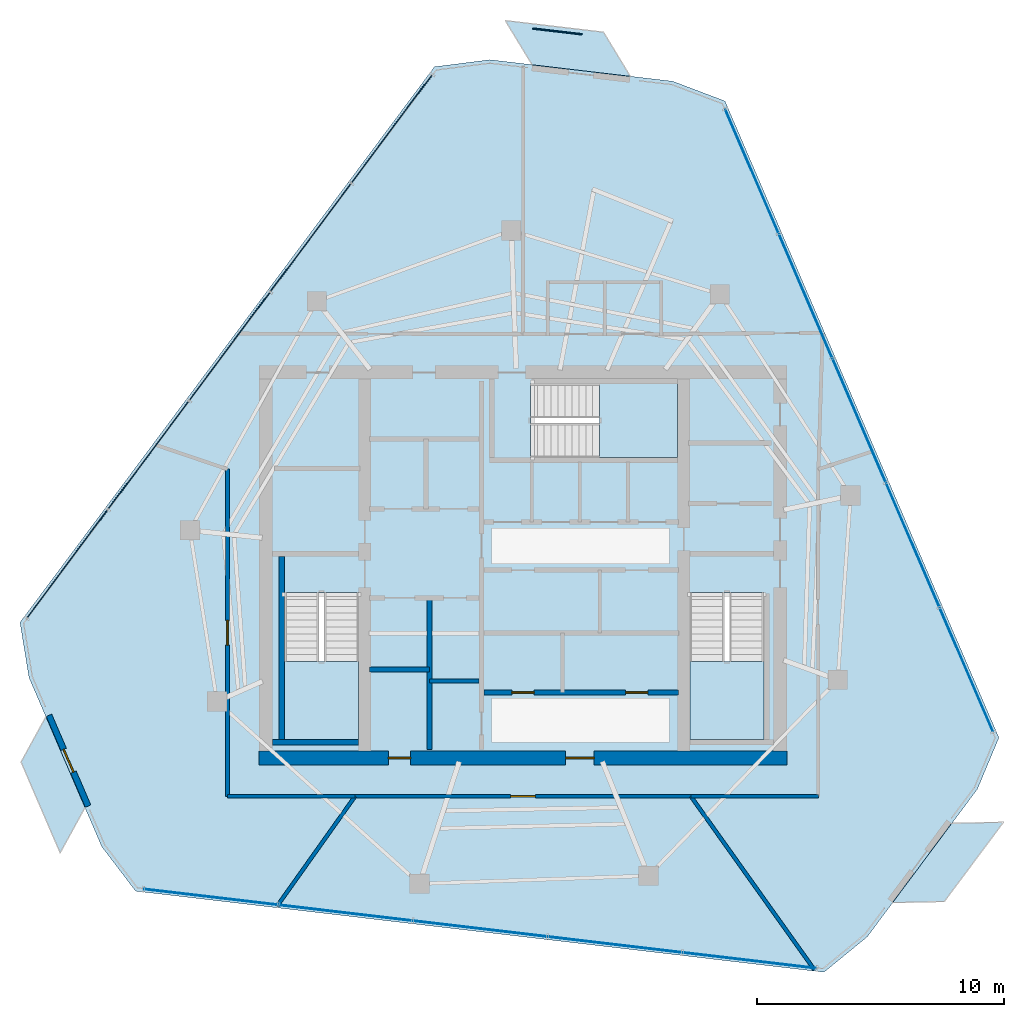
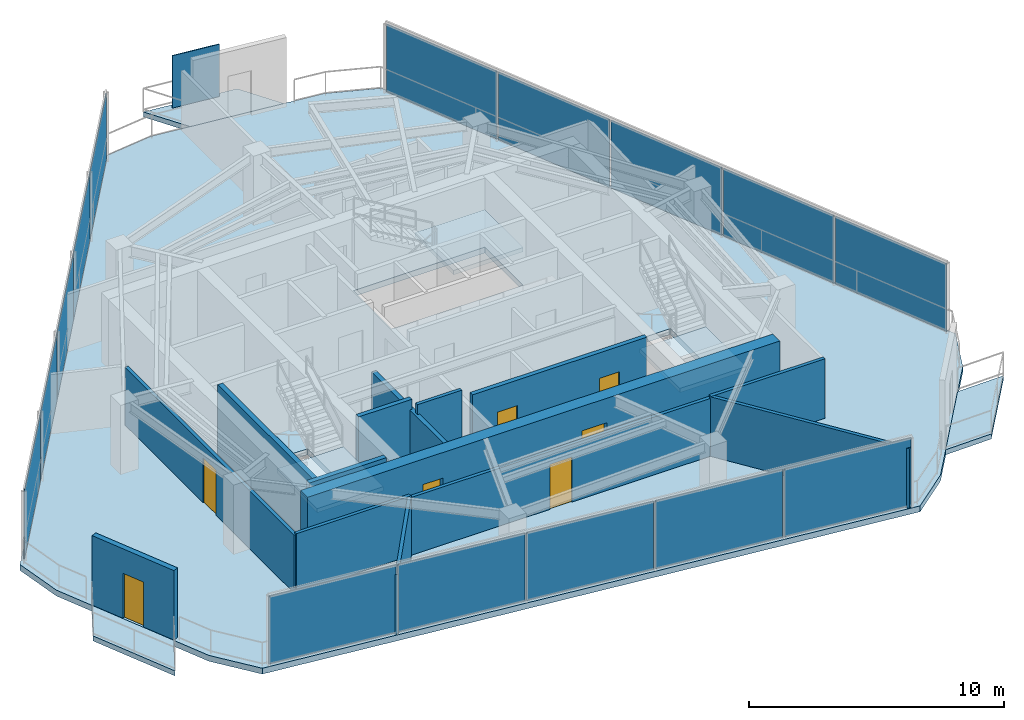
# One storey, part 13 of 18: 16 plates, 14 walls, 7 doors, 7 slabs, 7 openings, 6 elements without a shape of their own.
"""IFC4 building model written with IfcOpenShell, lengths in metres."""

from ifc_helpers import new_model, si_unit, direction, frame, frame_2d, origin, origin_2d, place, context, subcontext, project, spatial, polyline, rectangle, outline, extrude, material, layer, layer_set, type_object, element, fill, aggregate, save


model = new_model("IFC4")

# Units and contexts
model_context = context("Model", 3, precision=1e-05, world=origin(), true_north=direction((0.0, 1.0)))
body_context = subcontext(model_context, "Body", "Model", "MODEL_VIEW")
ifc_project = project(units=[si_unit("LENGTHUNIT", "METRE"), si_unit("AREAUNIT", "SQUARE_METRE"), si_unit("VOLUMEUNIT", "CUBIC_METRE"), si_unit("PLANEANGLEUNIT", "RADIAN"), si_unit("MASSUNIT", "GRAM", prefix="KILO")], contexts=[model_context])

# Site, building, storey
site_placement = place(None, origin())
site = spatial("IfcSite", under=ifc_project, at=site_placement, CompositionType="ELEMENT")
building_placement = place(site_placement, origin())
building = spatial("IfcBuilding", under=site, at=building_placement, Name="Qarnah Convention Tower", CompositionType="ELEMENT")
storey_placement = place(building_placement, frame((0.0, 0.0, 267.89990234375)))
storey = spatial("IfcBuildingStorey", under=building, at=storey_placement, Name="L72", CompositionType="ELEMENT", Elevation=267.89990234375)

# Curtain wall, plates
ifc_material_1 = material(Name="Tempered Low-E dark glass", Category="glass")
ifc_layer_1 = layer(ifc_material_1, 0.176025390625)
ifc_layer_set_1 = layer_set([ifc_layer_1], Name="Tempered Low-E dark glass")
curtain_wall_type = type_object("IfcCurtainWallType", Name="CWS-05", PredefinedType="NOTDEFINED", material=ifc_layer_set_1)
curtain_wall_1_placement = place(storey_placement, origin())
curtain_wall_1 = element("IfcCurtainWall", 1, at=curtain_wall_1_placement, inside=storey, type_object=curtain_wall_type, Name="L72 unitised curtain wall CW-L72-F1", PredefinedType="NOTDEFINED")
ifc_layer_2 = layer(ifc_material_1, 0.035888671875)
ifc_layer_set_2 = layer_set([ifc_layer_2], Name="Tempered Low-E dark glass")
plate_type_1 = type_object("IfcPlateType", Name="PNL-T5", PredefinedType="CURTAIN_PANEL", material=ifc_layer_set_2)
plate_1_placement = place(storey_placement, frame((46.464599609375, 42.335205078125, 0.0400390625), z_axis=(0.0, 0.0, 1.0), x_axis=(0.395211974146, -0.918589949592, 0.0)))
plate_1 = element("IfcPlate", 2, at=plate_1_placement, type_object=plate_type_1, Name="CW-L72-F1 curtain panel 1.1", PredefinedType="CURTAIN_PANEL", context=body_context, shape_type="SweptSolid", body=[
    extrude(rectangle(XDim=5.408203125, YDim=0.035888671875, at=origin_2d()), origin(), (0.0, 0.0, 1.0), 3.239990234375),
])
plate_2_placement = place(storey_placement, frame((48.633544921875, 37.2939453125, 0.0400390625), z_axis=(0.0, 0.0, 1.0), x_axis=(0.395211974146, -0.918589949592, 0.0)))
plate_2 = element("IfcPlate", 3, at=plate_2_placement, type_object=plate_type_1, Name="CW-L72-F1 curtain panel 2.1", PredefinedType="CURTAIN_PANEL", context=body_context, shape_type="SweptSolid", body=[
    extrude(rectangle(XDim=5.408203125, YDim=0.035888671875, at=origin_2d()), origin(), (0.0, 0.0, 1.0), 3.239990234375),
])
plate_3_placement = place(storey_placement, frame((50.802490234375, 32.25244140625, 0.0400390625), z_axis=(0.0, 0.0, 1.0), x_axis=(0.395211974146, -0.918589949592, 0.0)))
plate_3 = element("IfcPlate", 4, at=plate_3_placement, type_object=plate_type_1, Name="CW-L72-F1 curtain panel 3.1", PredefinedType="CURTAIN_PANEL", context=body_context, shape_type="SweptSolid", body=[
    extrude(rectangle(XDim=5.408203125, YDim=0.035888671875, at=origin_2d()), origin(), (0.0, 0.0, 1.0), 3.239990234375),
])
plate_4_placement = place(storey_placement, frame((52.971435546875, 27.211181640625, 0.0400390625), z_axis=(0.0, 0.0, 1.0), x_axis=(0.395211974146, -0.918589949592, 0.0)))
plate_4 = element("IfcPlate", 5, at=plate_4_placement, type_object=plate_type_1, Name="CW-L72-F1 curtain panel 4.1", PredefinedType="CURTAIN_PANEL", context=body_context, shape_type="SweptSolid", body=[
    extrude(rectangle(XDim=5.408203125, YDim=0.035888671875, at=origin_2d()), origin(), (0.0, 0.0, 1.0), 3.239990234375),
])
plate_5_placement = place(storey_placement, frame((55.140380859375, 22.169677734375, 0.0400390625), z_axis=(0.0, 0.0, 1.0), x_axis=(0.395211974146, -0.918589949592, 0.0)))
plate_5 = element("IfcPlate", 6, at=plate_5_placement, type_object=plate_type_1, Name="CW-L72-F1 curtain panel 5.1", PredefinedType="CURTAIN_PANEL", context=body_context, shape_type="SweptSolid", body=[
    extrude(rectangle(XDim=5.408203125, YDim=0.035888671875, at=origin_2d()), origin(), (0.0, 0.0, 1.0), 3.239990234375),
])
aggregate(curtain_wall_1, [plate_1, plate_2, plate_3, plate_4, plate_5])

curtain_wall_2_placement = place(storey_placement, origin())
curtain_wall_2 = element("IfcCurtainWall", 7, at=curtain_wall_2_placement, inside=storey, type_object=curtain_wall_type, Name="L72 unitised curtain wall CW-L72-F2", PredefinedType="NOTDEFINED")
plate_6_placement = place(storey_placement, frame((18.7685546875, 26.45556640625, 0.0400390625), z_axis=(0.0, 0.0, 1.0), x_axis=(0.597875477778, 0.801588992609, 0.0)))
plate_6 = element("IfcPlate", 8, at=plate_6_placement, type_object=plate_type_1, Name="CW-L72-F2 curtain panel 1.1", PredefinedType="CURTAIN_PANEL", context=body_context, shape_type="SweptSolid", body=[
    extrude(rectangle(XDim=5.408203125, YDim=0.035888671875, at=origin_2d()), origin(), (0.0, 0.0, 1.0), 3.239990234375),
])
plate_7_placement = place(storey_placement, frame((22.0498046875, 30.854736328125, 0.0400390625), z_axis=(0.0, 0.0, 1.0), x_axis=(0.597875477778, 0.801588992609, 0.0)))
plate_7 = element("IfcPlate", 9, at=plate_7_placement, type_object=plate_type_1, Name="CW-L72-F2 curtain panel 2.1", PredefinedType="CURTAIN_PANEL", context=body_context, shape_type="SweptSolid", body=[
    extrude(rectangle(XDim=5.408203125, YDim=0.035888671875, at=origin_2d()), origin(), (0.0, 0.0, 1.0), 3.239990234375),
])
plate_8_placement = place(storey_placement, frame((25.3310546875, 35.25390625, 0.0400390625), z_axis=(0.0, 0.0, 1.0), x_axis=(0.597875477778, 0.801588992609, 0.0)))
plate_8 = element("IfcPlate", 10, at=plate_8_placement, type_object=plate_type_1, Name="CW-L72-F2 curtain panel 3.1", PredefinedType="CURTAIN_PANEL", context=body_context, shape_type="SweptSolid", body=[
    extrude(rectangle(XDim=5.408203125, YDim=0.035888671875, at=origin_2d()), origin(), (0.0, 0.0, 1.0), 3.239990234375),
])
plate_9_placement = place(storey_placement, frame((28.6123046875, 39.6533203125, 0.0400390625), z_axis=(0.0, 0.0, 1.0), x_axis=(0.597875477778, 0.801588992609, 0.0)))
plate_9 = element("IfcPlate", 11, at=plate_9_placement, type_object=plate_type_1, Name="CW-L72-F2 curtain panel 4.1", PredefinedType="CURTAIN_PANEL", context=body_context, shape_type="SweptSolid", body=[
    extrude(rectangle(XDim=5.408203125, YDim=0.035888671875, at=origin_2d()), origin(), (0.0, 0.0, 1.0), 3.239990234375),
])
plate_10_placement = place(storey_placement, frame((31.893310546875, 44.052490234375, 0.0400390625), z_axis=(0.0, 0.0, 1.0), x_axis=(0.597875477778, 0.801588992609, 0.0)))
plate_10 = element("IfcPlate", 12, at=plate_10_placement, type_object=plate_type_1, Name="CW-L72-F2 curtain panel 5.1", PredefinedType="CURTAIN_PANEL", context=body_context, shape_type="SweptSolid", body=[
    extrude(rectangle(XDim=5.408203125, YDim=0.035888671875, at=origin_2d()), origin(), (0.0, 0.0, 1.0), 3.239990234375),
])
aggregate(curtain_wall_2, [plate_6, plate_7, plate_8, plate_9, plate_10])

curtain_wall_3_placement = place(storey_placement, origin())
curtain_wall_3 = element("IfcCurtainWall", 13, at=curtain_wall_3_placement, inside=storey, type_object=curtain_wall_type, Name="L72 unitised curtain wall CW-L72-F3", PredefinedType="NOTDEFINED")
plate_11_placement = place(storey_placement, frame((46.367919921875, 10.4091796875, 0.0400390625), z_axis=(0.0, 0.0, 1.0), x_axis=(-0.993129942913, 0.11701673594, 0.0)))
plate_11 = element("IfcPlate", 14, at=plate_11_placement, type_object=plate_type_1, Name="CW-L72-F3 curtain panel 1.1", PredefinedType="CURTAIN_PANEL", context=body_context, shape_type="SweptSolid", body=[
    extrude(rectangle(XDim=5.408203125, YDim=0.035888671875, at=origin_2d()), origin(), (0.0, 0.0, 1.0), 3.239990234375),
])
plate_12_placement = place(storey_placement, frame((40.91748046875, 11.05126953125, 0.0400390625), z_axis=(0.0, 0.0, 1.0), x_axis=(-0.993129942913, 0.11701673594, 0.0)))
plate_12 = element("IfcPlate", 15, at=plate_12_placement, type_object=plate_type_1, Name="CW-L72-F3 curtain panel 2.1", PredefinedType="CURTAIN_PANEL", context=body_context, shape_type="SweptSolid", body=[
    extrude(rectangle(XDim=5.408203125, YDim=0.035888671875, at=origin_2d()), origin(), (0.0, 0.0, 1.0), 3.239990234375),
])
plate_13_placement = place(storey_placement, frame((35.467041015625, 11.693603515625, 0.0400390625), z_axis=(0.0, 0.0, 1.0), x_axis=(-0.993129942913, 0.11701673594, 0.0)))
plate_13 = element("IfcPlate", 16, at=plate_13_placement, type_object=plate_type_1, Name="CW-L72-F3 curtain panel 3.1", PredefinedType="CURTAIN_PANEL", context=body_context, shape_type="SweptSolid", body=[
    extrude(rectangle(XDim=5.408203125, YDim=0.035888671875, at=origin_2d()), origin(), (0.0, 0.0, 1.0), 3.239990234375),
])
plate_14_placement = place(storey_placement, frame((30.0166015625, 12.335693359375, 0.0400390625), z_axis=(0.0, 0.0, 1.0), x_axis=(-0.993129942913, 0.11701673594, 0.0)))
plate_14 = element("IfcPlate", 17, at=plate_14_placement, type_object=plate_type_1, Name="CW-L72-F3 curtain panel 4.1", PredefinedType="CURTAIN_PANEL", context=body_context, shape_type="SweptSolid", body=[
    extrude(rectangle(XDim=5.408203125, YDim=0.035888671875, at=origin_2d()), origin(), (0.0, 0.0, 1.0), 3.239990234375),
])
plate_15_placement = place(storey_placement, frame((24.566162109375, 12.977783203125, 0.0400390625), z_axis=(0.0, 0.0, 1.0), x_axis=(-0.993129942913, 0.11701673594, 0.0)))
plate_15 = element("IfcPlate", 18, at=plate_15_placement, type_object=plate_type_1, Name="CW-L72-F3 curtain panel 5.1", PredefinedType="CURTAIN_PANEL", context=body_context, shape_type="SweptSolid", body=[
    extrude(rectangle(XDim=5.408203125, YDim=0.035888671875, at=origin_2d()), origin(), (0.0, 0.0, 1.0), 3.239990234375),
])
aggregate(curtain_wall_3, [plate_11, plate_12, plate_13, plate_14, plate_15])

# Plate
ifc_material_2 = material(Name="Black anodised aluminium", Category="aluminium")
ifc_layer_3 = layer(ifc_material_2, 0.044921875)
ifc_layer_set_3 = layer_set([ifc_layer_3], Name="Black anodised aluminium")
plate_type_2 = type_object("IfcPlateType", Name="SCR-BAL-18", PredefinedType="USERDEFINED", material=ifc_layer_set_3)
plate_16_placement = place(storey_placement, frame((38.594970703125, 47.993896484375, 0.0), z_axis=(0.0, 0.0, 1.0), x_axis=(0.993133538982, -0.116986211789, 0.0)))
element("IfcPlate", 19, at=plate_16_placement, inside=storey, type_object=plate_type_2, Name="L72 perforated desert solar screen BAL-L72-C1", ObjectType="SCREEN", PredefinedType="USERDEFINED", context=body_context, shape_type="SweptSolid", body=[
    extrude(rectangle(XDim=2.0, YDim=0.044921875, at=origin_2d()), origin(), (0.0, 0.0, 1.0), 2.5),
])

# Slabs
ifc_material_3 = material(Name="Concrete C45/55", Category="concrete")
ifc_layer_4 = layer(ifc_material_3, 0.239990234375)
ifc_layer_set_4 = layer_set([ifc_layer_4], Name="Concrete C45/55")
slab_type_1 = type_object("IfcSlabType", Name="SLB-BAL-240", PredefinedType="USERDEFINED", material=ifc_layer_set_4)
slab_1_placement = place(storey_placement, frame((0.0, 0.0, -0.239990234375)))
element("IfcSlab", 20, at=slab_1_placement, inside=storey, type_object=slab_type_1, Name="L72 cantilevered balcony slab BAL-L72-C1", ObjectType="BALCONY", PredefinedType="USERDEFINED", context=body_context, shape_type="SweptSolid", body=[
    extrude(outline(polyline([(36.48388671875, 48.43310546875), (40.45703125, 47.965087890625), (41.54296875, 46.177001953125), (37.570068359375, 46.64501953125), (36.48388671875, 48.43310546875)])), origin(), (0.0, 0.0, 1.0), 0.239990234375),
])
slab_2_placement = place(storey_placement, frame((0.0, 0.0, -0.239990234375)))
element("IfcSlab", 21, at=slab_2_placement, inside=storey, type_object=slab_type_1, Name="L72 cantilevered balcony slab BAL-L72-C2", ObjectType="BALCONY", PredefinedType="USERDEFINED", context=body_context, shape_type="SweptSolid", body=[
    extrude(outline(polyline([(18.47705078125, 14.763916015625), (16.89599609375, 18.43798828125), (17.90087890625, 20.27294921875), (19.48193359375, 16.59912109375), (18.47705078125, 14.763916015625)])), origin(), (0.0, 0.0, 1.0), 0.239990234375),
])
slab_3_placement = place(storey_placement, frame((0.0, 0.0, -0.239990234375)))
element("IfcSlab", 22, at=slab_3_placement, inside=storey, type_object=slab_type_1, Name="L72 cantilevered balcony slab BAL-L72-C3", ObjectType="BALCONY", PredefinedType="USERDEFINED", context=body_context, shape_type="SweptSolid", body=[
    extrude(outline(polyline([(56.638916015625, 16.0029296875), (54.2470703125, 12.797119140625), (52.154052734375, 12.75), (54.5458984375, 15.95703125), (56.638916015625, 16.0029296875)])), origin(), (0.0, 0.0, 1.0), 0.239990234375),
])

# Stair, slab
ifc_material_4 = material(Name="Concrete C50/60", Category="concrete")
stair_type = type_object("IfcStairType", Name="STR-OFF", PredefinedType="HALF_TURN_STAIR", material=ifc_material_4)
stair_1_placement = place(storey_placement, origin())
stair_1 = element("IfcStair", 23, at=stair_1_placement, inside=storey, type_object=stair_type, Name="L72 Core exit stair ST-1", PredefinedType="HALF_TURN_STAIR")
ifc_layer_5 = layer(ifc_material_4, 0.199951171875)
ifc_layer_set_5 = layer_set([ifc_layer_5], Name="Concrete C50/60")
slab_type_2 = type_object("IfcSlabType", Name="SLB-LANDING-200", PredefinedType="LANDING", material=ifc_layer_set_5)
slab_4_placement = place(storey_placement, frame((0.0, 0.0, 1.60009765625)))
slab_4 = element("IfcSlab", 24, at=slab_4_placement, type_object=slab_type_2, Name="ST-1 landing 1", PredefinedType="LANDING", context=body_context, shape_type="SweptSolid", body=[
    extrude(outline(polyline([(27.550048828125, 22.5), (27.550048828125, 19.35009765625), (30.550048828125, 19.35009765625), (30.550048828125, 22.5), (27.550048828125, 22.5)])), origin(), (0.0, 0.0, 1.0), 0.199951171875),
])
aggregate(stair_1, [slab_4])

stair_2_placement = place(storey_placement, origin())
stair_2 = element("IfcStair", 25, at=stair_2_placement, inside=storey, type_object=stair_type, Name="L72 Core exit stair ST-2", PredefinedType="HALF_TURN_STAIR")
slab_5_placement = place(storey_placement, frame((0.0, 0.0, 1.60009765625)))
slab_5 = element("IfcSlab", 26, at=slab_5_placement, type_object=slab_type_2, Name="ST-2 landing 1", PredefinedType="LANDING", context=body_context, shape_type="SweptSolid", body=[
    extrude(outline(polyline([(43.949951171875, 22.5), (43.949951171875, 19.35009765625), (46.949951171875, 19.35009765625), (46.949951171875, 22.5), (43.949951171875, 22.5)])), origin(), (0.0, 0.0, 1.0), 0.199951171875),
])
aggregate(stair_2, [slab_5])

stair_3_placement = place(storey_placement, origin())
stair_3 = element("IfcStair", 27, at=stair_3_placement, inside=storey, type_object=stair_type, Name="L72 Core exit stair ST-3", PredefinedType="HALF_TURN_STAIR")
slab_6_placement = place(storey_placement, frame((0.0, 0.0, 1.60009765625)))
slab_6 = element("IfcSlab", 28, at=slab_6_placement, type_object=slab_type_2, Name="ST-3 landing 1", PredefinedType="LANDING", context=body_context, shape_type="SweptSolid", body=[
    extrude(outline(polyline([(40.300048828125, 30.75), (43.449951171875, 30.75), (43.449951171875, 33.75), (40.300048828125, 33.75), (40.300048828125, 30.75)])), origin(), (0.0, 0.0, 1.0), 0.199951171875),
])
aggregate(stair_3, [slab_6])

# Slab
ifc_layer_6 = layer(ifc_material_3, 0.280029296875)
ifc_layer_set_6 = layer_set([ifc_layer_6], Name="Concrete C45/55")
slab_type_3 = type_object("IfcSlabType", Name="SLB-TWR-280", PredefinedType="FLOOR", material=ifc_layer_set_6)
slab_7_placement = place(storey_placement, frame((0.0, 0.0, -0.27978515625)))
element("IfcSlab", 29, at=slab_7_placement, inside=storey, type_object=slab_type_3, Name="L72 structural floor slab", PredefinedType="FLOOR", context=body_context, shape_type="SweptSolid", body=[
    extrude(outline(polyline([(33.616943359375, 46.56396484375), (16.85205078125, 24.0869140625), (17.216064453125, 21.85595703125), (20.159912109375, 15.013916015625), (21.529052734375, 13.215087890625), (49.376953125, 9.93408203125), (51.126953125, 11.365966796875), (55.580078125, 17.3359375), (56.4541015625, 19.4208984375), (45.3720703125, 45.178955078125), (43.257080078125, 45.97900390625), (35.860107421875, 46.85009765625), (33.616943359375, 46.56396484375)]), holes=[polyline([(27.550048828125, 25.300048828125), (27.550048828125, 19.35009765625), (30.550048828125, 19.35009765625), (30.550048828125, 25.300048828125), (27.550048828125, 25.300048828125)]), polyline([(43.949951171875, 25.300048828125), (43.949951171875, 19.35009765625), (46.949951171875, 19.35009765625), (46.949951171875, 25.300048828125), (43.949951171875, 25.300048828125)]), polyline([(37.5, 30.75), (43.449951171875, 30.75), (43.449951171875, 33.75), (37.5, 33.75), (37.5, 30.75)])]), origin(), (0.0, 0.0, 1.0), 0.27978515625),
])

# Wall, openings, doors
ifc_material_5 = material(Name="Concrete C60/75", Category="concrete")
ifc_layer_7 = layer(ifc_material_5, 0.550048828125)
ifc_layer_set_7 = layer_set([ifc_layer_7], Name="Concrete C60/75")
wall_type_1 = type_object("IfcWallType", Name="WL-CORE-550", PredefinedType="SHEAR", material=ifc_layer_set_7)
wall_1_placement = place(storey_placement, frame((26.52490234375, 18.60009765625, 0.0), z_axis=(0.0, 0.0, 1.0), x_axis=(1.0, 0.0, 0.0)))
wall_1 = element("IfcWall", 30, at=wall_1_placement, inside=storey, type_object=wall_type_1, Name="L72 core south shear wall", PredefinedType="SHEAR", context=body_context, shape_type="SweptSolid", body=[
    extrude(rectangle(XDim=21.35009765625, YDim=0.550048828125, at=frame_2d((10.675048828125, 0.0))), origin(), (0.0, 0.0, 1.0), 3.320068359375),
])
opening_1_placement = place(wall_1_placement, frame((12.39990234375, 0.0, 0.0)))
opening_1 = element("IfcOpeningElement", 31, at=opening_1_placement, cuts=wall_1, Name="Opening D-7207", PredefinedType="OPENING", context=body_context, shape_type="SweptSolid", body=[
    extrude(rectangle(XDim=1.14990234375, YDim=2.14990234375, at=frame_2d((0.574951171875, 1.074951171875))), frame((0.0, 0.284912109375, 0.0), z_axis=(0.0, -1.0, 0.0), x_axis=(1.0, 0.0, 0.0)), (0.0, 0.0, 1.0), 0.570068359375),
])
opening_2_placement = place(wall_1_placement, frame((5.22509765625, 0.0, 0.0)))
opening_2 = element("IfcOpeningElement", 32, at=opening_2_placement, cuts=wall_1, Name="Opening D-7213", PredefinedType="OPENING", context=body_context, shape_type="SweptSolid", body=[
    extrude(rectangle(XDim=0.89990234375, YDim=2.10009765625, at=frame_2d((0.449951171875, 1.050048828125))), frame((0.0, 0.284912109375, 0.0), z_axis=(0.0, -1.0, 0.0), x_axis=(1.0, 0.0, 0.0)), (0.0, 0.0, 1.0), 0.570068359375),
])
ifc_material_6 = material(Name="Structural steel S355JR", Category="steel")
door_type_1 = type_object("IfcDoorType", Name="DT-LOBBY-1150", OperationType="NOTDEFINED", PredefinedType="DOOR", material=ifc_material_6)
door_1_placement = place(opening_1_placement, origin())
door_1 = element("IfcDoor", 33, at=door_1_placement, inside=storey, type_object=door_type_1, Name="Door D-7207", OperationType="SINGLE_SWING_LEFT", OverallHeight=2.14990234375, OverallWidth=1.14990234375, PredefinedType="DOOR", context=body_context, shape_type="SweptSolid", body=[
    extrude(rectangle(XDim=1.14990234375, YDim=2.14990234375, at=frame_2d((0.574951171875, 1.074951171875))), frame((0.0, 0.02490234375, 0.0), z_axis=(0.0, -1.0, 0.0), x_axis=(1.0, 0.0, 0.0)), (0.0, 0.0, 1.0), 0.050048828125),
])
fill(opening_1, door_1)
door_type_2 = type_object("IfcDoorType", Name="DT-RISER-900", OperationType="NOTDEFINED", PredefinedType="DOOR", material=ifc_material_6)
door_2_placement = place(opening_2_placement, origin())
door_2 = element("IfcDoor", 34, at=door_2_placement, inside=storey, type_object=door_type_2, Name="Door D-7213", OperationType="SINGLE_SWING_LEFT", OverallHeight=2.10009765625, OverallWidth=0.89990234375, PredefinedType="DOOR", context=body_context, shape_type="SweptSolid", body=[
    extrude(rectangle(XDim=0.89990234375, YDim=2.10009765625, at=frame_2d((0.449951171875, 1.050048828125))), frame((0.0, 0.02490234375, 0.0), z_axis=(0.0, -1.0, 0.0), x_axis=(1.0, 0.0, 0.0)), (0.0, 0.0, 1.0), 0.050048828125),
])
fill(opening_2, door_2)

# Walls
ifc_layer_8 = layer(ifc_material_3, 0.199951171875)
ifc_layer_set_8 = layer_set([ifc_layer_8], Name="Concrete C45/55")
wall_type_2 = type_object("IfcWallType", Name="WL-CORE-PART-200", PredefinedType="SOLIDWALL", material=ifc_layer_set_8)
wall_2_placement = place(storey_placement, frame((33.419921875, 18.949951171875, 0.0), z_axis=(0.0, 0.0, 1.0), x_axis=(0.0, 1.0, 0.0)))
element("IfcWall", 35, at=wall_2_placement, inside=storey, type_object=wall_type_2, Name="L72 interior wall IW-L72-SVLE", PredefinedType="SOLIDWALL", context=body_context, shape_type="SweptSolid", body=[
    extrude(rectangle(XDim=6.130126953125, YDim=0.199951171875, at=frame_2d((3.06494140625, 0.0))), origin(), (0.0, 0.0, 1.0), 2.841064453125),
])
wall_3_placement = place(storey_placement, frame((31.0, 22.179931640625, 0.0), z_axis=(0.0, 0.0, 1.0), x_axis=(1.0, 0.0, 0.0)))
element("IfcWall", 36, at=wall_3_placement, inside=storey, type_object=wall_type_2, Name="L72 interior wall IW-L72-SVLS", PredefinedType="SOLIDWALL", context=body_context, shape_type="SweptSolid", body=[
    extrude(rectangle(XDim=2.419921875, YDim=0.199951171875, at=frame_2d((1.2099609375, 0.0))), origin(), (0.0, 0.0, 1.0), 3.320068359375),
])

# Wall, openings, doors
wall_4_placement = place(storey_placement, frame((35.6201171875, 21.25, 0.0), z_axis=(0.0, 0.0, 1.0), x_axis=(1.0, 0.0, 0.0)))
wall_4 = element("IfcWall", 37, at=wall_4_placement, inside=storey, type_object=wall_type_2, Name="L72 interior wall IW-L72-PLS", PredefinedType="SOLIDWALL", context=body_context, shape_type="SweptSolid", body=[
    extrude(rectangle(XDim=7.8798828125, YDim=0.199951171875, at=frame_2d((3.93994140625, 0.0))), origin(), (0.0, 0.0, 1.0), 3.320068359375),
])
opening_3_placement = place(wall_4_placement, frame((1.1298828125, 0.0, 0.0)))
opening_3 = element("IfcOpeningElement", 38, at=opening_3_placement, cuts=wall_4, Name="Opening D-7216", PredefinedType="OPENING", context=body_context, shape_type="SweptSolid", body=[
    extrude(rectangle(XDim=0.89990234375, YDim=2.10009765625, at=frame_2d((0.449951171875, 1.050048828125))), frame((0.0, 0.10986328125, 0.0), z_axis=(0.0, -1.0, 0.0), x_axis=(1.0, 0.0, 0.0)), (0.0, 0.0, 1.0), 0.219970703125),
])
opening_4_placement = place(wall_4_placement, frame((5.72998046875, 0.0, 0.0)))
opening_4 = element("IfcOpeningElement", 39, at=opening_4_placement, cuts=wall_4, Name="Opening D-7217", PredefinedType="OPENING", context=body_context, shape_type="SweptSolid", body=[
    extrude(rectangle(XDim=0.89990234375, YDim=2.10009765625, at=frame_2d((0.449951171875, 1.050048828125))), frame((0.0, 0.10986328125, 0.0), z_axis=(0.0, -1.0, 0.0), x_axis=(1.0, 0.0, 0.0)), (0.0, 0.0, 1.0), 0.219970703125),
])
door_3_placement = place(opening_3_placement, origin())
door_3 = element("IfcDoor", 40, at=door_3_placement, inside=storey, type_object=door_type_2, Name="Door D-7216", OperationType="SINGLE_SWING_RIGHT", OverallHeight=2.10009765625, OverallWidth=0.89990234375, PredefinedType="DOOR", context=body_context, shape_type="SweptSolid", body=[
    extrude(rectangle(XDim=0.89990234375, YDim=2.10009765625, at=frame_2d((0.449951171875, 1.050048828125))), frame((0.0, 0.02490234375, 0.0), z_axis=(0.0, -1.0, 0.0), x_axis=(1.0, 0.0, 0.0)), (0.0, 0.0, 1.0), 0.050048828125),
])
fill(opening_3, door_3)
door_4_placement = place(opening_4_placement, origin())
door_4 = element("IfcDoor", 41, at=door_4_placement, inside=storey, type_object=door_type_2, Name="Door D-7217", OperationType="SINGLE_SWING_LEFT", OverallHeight=2.10009765625, OverallWidth=0.89990234375, PredefinedType="DOOR", context=body_context, shape_type="SweptSolid", body=[
    extrude(rectangle(XDim=0.89990234375, YDim=2.10009765625, at=frame_2d((0.449951171875, 1.050048828125))), frame((0.0, 0.02490234375, 0.0), z_axis=(0.0, -1.0, 0.0), x_axis=(1.0, 0.0, 0.0)), (0.0, 0.0, 1.0), 0.050048828125),
])
fill(opening_4, door_4)

# Walls
ifc_layer_9 = layer(ifc_material_5, 0.219970703125)
ifc_layer_set_9 = layer_set([ifc_layer_9], Name="Concrete C60/75")
wall_type_3 = type_object("IfcWallType", Name="WL-CORE-STAIR-220", PredefinedType="SHEAR", material=ifc_layer_set_9)
wall_5_placement = place(storey_placement, frame((27.43994140625, 19.35009765625, 0.0), z_axis=(0.0, 0.0, 1.0), x_axis=(0.0, 1.0, 0.0)))
element("IfcWall", 42, at=wall_5_placement, inside=storey, type_object=wall_type_3, Name="L72 stair shaft shear wall SW-L72-ST1W", PredefinedType="SHEAR", context=body_context, shape_type="SweptSolid", body=[
    extrude(rectangle(XDim=7.39990234375, YDim=0.219970703125, at=frame_2d((3.699951171875, 0.0))), origin(), (0.0, 0.0, 1.0), 3.320068359375),
])
wall_6_placement = place(storey_placement, frame((27.074951171875, 19.239990234375, 0.0), z_axis=(0.0, 0.0, 1.0), x_axis=(1.0, 0.0, 0.0)))
element("IfcWall", 43, at=wall_6_placement, inside=storey, type_object=wall_type_3, Name="L72 stair shaft shear wall SW-L72-ST1S", PredefinedType="SHEAR", context=body_context, shape_type="SweptSolid", body=[
    extrude(rectangle(XDim=3.47509765625, YDim=0.219970703125, at=frame_2d((1.737548828125, 0.0))), origin(), (0.0, 0.0, 1.0), 3.320068359375),
])

# Wall, opening, door
ifc_material_7 = material(Name="Precast concrete C45/55", Category="concrete")
ifc_layer_10 = layer(ifc_material_7, 0.239990234375)
ifc_layer_set_10 = layer_set([ifc_layer_10], Name="Precast concrete C45/55")
wall_type_4 = type_object("IfcWallType", Name="WL-EXT-BAL-240", PredefinedType="SOLIDWALL", material=ifc_layer_set_10)
wall_7_placement = place(storey_placement, frame((19.60693359375, 16.653076171875, 0.0), z_axis=(0.0, 0.0, 1.0), x_axis=(-0.39521521879, 0.918588553617, 0.0)))
wall_7 = element("IfcWall", 44, at=wall_7_placement, inside=storey, type_object=wall_type_4, Name="L72 loggia threshold wall BAL-L72-C2", PredefinedType="SOLIDWALL", context=body_context, shape_type="SweptSolid", body=[
    extrude(rectangle(XDim=4.00048828125, YDim=0.239990234375, at=frame_2d((2.000244140625, 0.0))), origin(), (0.0, 0.0, 1.0), 3.320068359375),
])
opening_5_placement = place(wall_7_placement, frame((1.5, 0.0, 0.0)))
opening_5 = element("IfcOpeningElement", 45, at=opening_5_placement, cuts=wall_7, Name="Opening BD-7202", PredefinedType="OPENING", context=body_context, shape_type="SweptSolid", body=[
    extrude(rectangle(XDim=1.0, YDim=2.14990234375, at=frame_2d((0.5, 1.074951171875))), frame((0.0, 0.1298828125, 0.0), z_axis=(0.0, -1.0, 0.0), x_axis=(1.0, 0.0, 0.0)), (0.0, 0.0, 1.0), 0.260009765625),
])
door_type_3 = type_object("IfcDoorType", Name="DT-BAL-1000", OperationType="NOTDEFINED", PredefinedType="DOOR", material=ifc_material_2)
door_5_placement = place(opening_5_placement, origin())
door_5 = element("IfcDoor", 46, at=door_5_placement, inside=storey, type_object=door_type_3, Name="L72 balcony terrace door BAL-L72-C2", OperationType="SINGLE_SWING_RIGHT", OverallHeight=2.14990234375, OverallWidth=1.0, PredefinedType="DOOR", context=body_context, shape_type="SweptSolid", body=[
    extrude(rectangle(XDim=1.0, YDim=2.14990234375, at=frame_2d((0.5, 1.074951171875))), frame((0.0, 0.02490234375, 0.0), z_axis=(0.0, -1.0, 0.0), x_axis=(1.0, 0.0, 0.0)), (0.0, 0.0, 1.0), 0.050048828125),
])
fill(opening_5, door_5)

# Walls
ifc_material_8 = material(Name="Gypsum partition board")
ifc_layer_11 = layer(ifc_material_8, 0.14990234375)
ifc_layer_set_11 = layer_set([ifc_layer_11], Name="Gypsum partition board")
wall_type_5 = type_object("IfcWallType", Name="WL-SUITE-150", PredefinedType="PARTITIONING", material=ifc_layer_set_11)
wall_8_placement = place(storey_placement, frame((33.419921875, 21.719970703125, 0.0), z_axis=(0.0, 0.0, 1.0), x_axis=(1.0, 0.0, 0.0)))
element("IfcWall", 47, at=wall_8_placement, inside=storey, type_object=wall_type_5, Name="L72 interior wall IW-L72-CSV1", PredefinedType="PARTITIONING", context=body_context, shape_type="SweptSolid", body=[
    extrude(rectangle(XDim=2.0, YDim=0.14990234375, at=frame_2d((1.0, 0.0))), origin(), (0.0, 0.0, 1.0), 3.320068359375),
])
wall_9_placement = place(storey_placement, frame((27.25390625, 12.611083984375, 0.0), z_axis=(0.0, 0.0, 1.0), x_axis=(0.579094214353, 0.815260627593, 0.0)))
element("IfcWall", 48, at=wall_9_placement, inside=storey, type_object=wall_type_5, Name="L72 interior wall IW-L72-R-14", PredefinedType="PARTITIONING", context=body_context, shape_type="SweptSolid", body=[
    extrude(rectangle(XDim=5.44482421875, YDim=0.14990234375, at=frame_2d((2.722412109375, 0.0))), origin(), (0.0, 0.0, 1.0), 2.84521484375),
])
wall_10_placement = place(storey_placement, frame((30.406982421875, 17.050048828125, 0.0), z_axis=(0.0, 0.0, 1.0), x_axis=(-1.0, 0.0, 0.0)))
element("IfcWall", 49, at=wall_10_placement, inside=storey, type_object=wall_type_5, Name="L72 interior wall IW-L72-R-15", PredefinedType="PARTITIONING", context=body_context, shape_type="SweptSolid", body=[
    extrude(rectangle(XDim=5.156982421875, YDim=0.14990234375, at=frame_2d((2.57861328125, 0.0))), origin(), (0.0, 0.0, 1.0), 2.84521484375),
])

# Wall, opening, door
wall_11_placement = place(storey_placement, frame((25.25, 17.050048828125, 0.0), z_axis=(0.0, 0.0, 1.0), x_axis=(0.0, 1.0, 0.0)))
wall_11 = element("IfcWall", 50, at=wall_11_placement, inside=storey, type_object=wall_type_5, Name="L72 interior wall IW-L72-R-16", PredefinedType="PARTITIONING", context=body_context, shape_type="SweptSolid", body=[
    extrude(rectangle(XDim=13.23291015625, YDim=0.14990234375, at=frame_2d((6.616455078125, 0.0))), origin(), (0.0, 0.0, 1.0), 2.76513671875),
])
opening_6_placement = place(wall_11_placement, frame((6.115966796875, 0.0, 0.0)))
opening_6 = element("IfcOpeningElement", 51, at=opening_6_placement, cuts=wall_11, Name="Opening D-7224", PredefinedType="OPENING", context=body_context, shape_type="SweptSolid", body=[
    extrude(rectangle(XDim=1.0, YDim=2.14990234375, at=frame_2d((0.5, 1.074951171875))), frame((0.0, 0.0849609375, 0.0), z_axis=(0.0, -1.0, 0.0), x_axis=(1.0, 0.0, 0.0)), (0.0, 0.0, 1.0), 0.169921875),
])
ifc_material_9 = material(Name="Oak timber veneer", Category="wood")
door_type_4 = type_object("IfcDoorType", Name="DT-OFFICE-1000", OperationType="NOTDEFINED", PredefinedType="DOOR", material=ifc_material_9)
door_6_placement = place(opening_6_placement, origin())
door_6 = element("IfcDoor", 52, at=door_6_placement, inside=storey, type_object=door_type_4, Name="Door D-7224", OperationType="SINGLE_SWING_RIGHT", OverallHeight=2.14990234375, OverallWidth=1.0, PredefinedType="DOOR", context=body_context, shape_type="SweptSolid", body=[
    extrude(rectangle(XDim=1.0, YDim=2.14990234375, at=frame_2d((0.5, 1.074951171875))), frame((0.0, 0.02490234375, 0.0), z_axis=(0.0, -1.0, 0.0), x_axis=(1.0, 0.0, 0.0)), (0.0, 0.0, 1.0), 0.050048828125),
])
fill(opening_6, door_6)

# Wall
wall_12_placement = place(storey_placement, frame((48.986083984375, 10.0390625, 0.0), z_axis=(0.0, 0.0, 1.0), x_axis=(-0.580108041933, 0.814539538441, 0.0)))
element("IfcWall", 53, at=wall_12_placement, inside=storey, type_object=wall_type_5, Name="L72 interior wall IW-L72-R-18", PredefinedType="PARTITIONING", context=body_context, shape_type="SweptSolid", body=[
    extrude(rectangle(XDim=8.607421875, YDim=0.14990234375, at=frame_2d((4.3037109375, 0.0))), origin(), (0.0, 0.0, 1.0), 2.84521484375),
])

# Wall, opening, door
wall_13_placement = place(storey_placement, frame((43.992919921875, 17.050048828125, 0.0), z_axis=(0.0, 0.0, 1.0), x_axis=(-1.0, 0.0, 0.0)))
wall_13 = element("IfcWall", 54, at=wall_13_placement, inside=storey, type_object=wall_type_5, Name="L72 interior wall IW-L72-R-19", PredefinedType="PARTITIONING", context=body_context, shape_type="SweptSolid", body=[
    extrude(rectangle(XDim=13.5859375, YDim=0.14990234375, at=frame_2d((6.79296875, 0.0))), origin(), (0.0, 0.0, 1.0), 2.76513671875),
])
opening_7_placement = place(wall_13_placement, frame((6.29296875, 0.0, 0.0)))
opening_7 = element("IfcOpeningElement", 55, at=opening_7_placement, cuts=wall_13, Name="Opening D-7225", PredefinedType="OPENING", context=body_context, shape_type="SweptSolid", body=[
    extrude(rectangle(XDim=1.0, YDim=2.14990234375, at=frame_2d((0.5, 1.074951171875))), frame((0.0, 0.0849609375, 0.0), z_axis=(0.0, -1.0, 0.0), x_axis=(1.0, 0.0, 0.0)), (0.0, 0.0, 1.0), 0.169921875),
])
door_7_placement = place(opening_7_placement, origin())
door_7 = element("IfcDoor", 56, at=door_7_placement, inside=storey, type_object=door_type_4, Name="Door D-7225", OperationType="SINGLE_SWING_LEFT", OverallHeight=2.14990234375, OverallWidth=1.0, PredefinedType="DOOR", context=body_context, shape_type="SweptSolid", body=[
    extrude(rectangle(XDim=1.0, YDim=2.14990234375, at=frame_2d((0.5, 1.074951171875))), frame((0.0, 0.02490234375, 0.0), z_axis=(0.0, -1.0, 0.0), x_axis=(1.0, 0.0, 0.0)), (0.0, 0.0, 1.0), 0.050048828125),
])
fill(opening_7, door_7)

# Wall
wall_14_placement = place(storey_placement, frame((49.14990234375, 17.050048828125, 0.0), z_axis=(0.0, 0.0, 1.0), x_axis=(-1.0, 0.0, 0.0)))
element("IfcWall", 57, at=wall_14_placement, inside=storey, type_object=wall_type_5, Name="L72 interior wall IW-L72-R-21", PredefinedType="PARTITIONING", context=body_context, shape_type="SweptSolid", body=[
    extrude(rectangle(XDim=5.156982421875, YDim=0.14990234375, at=frame_2d((2.57861328125, 0.0))), origin(), (0.0, 0.0, 1.0), 2.84521484375),
])

save(model, "model.ifc")
